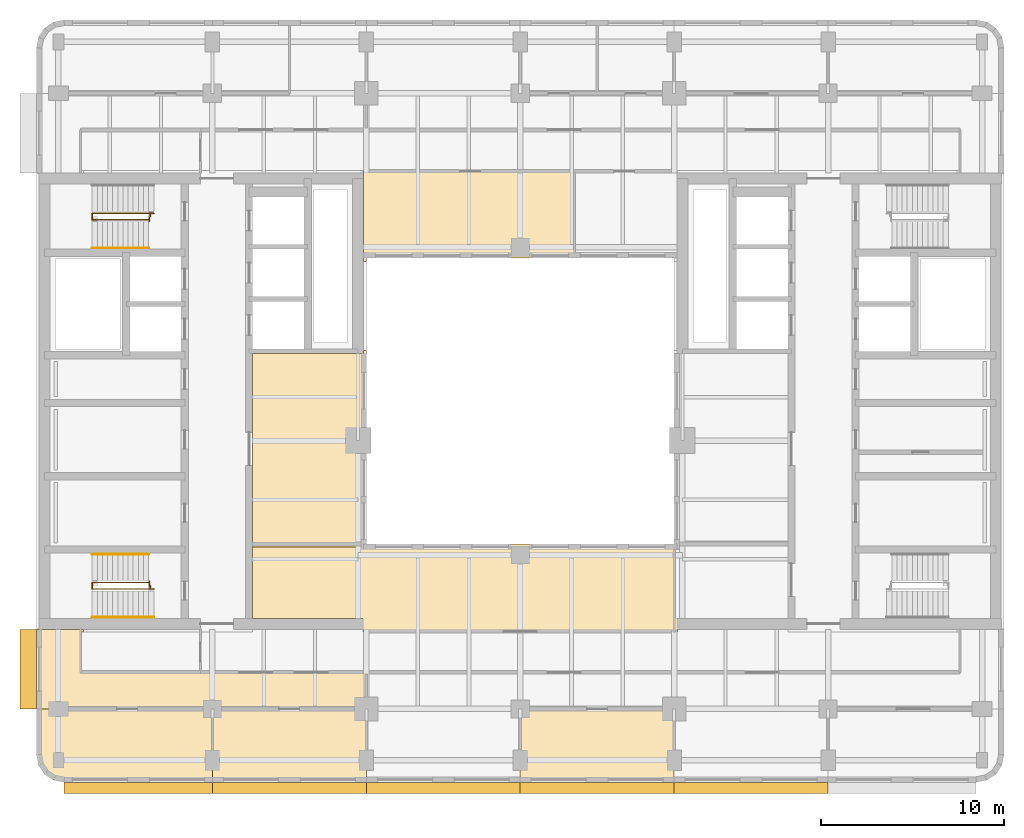
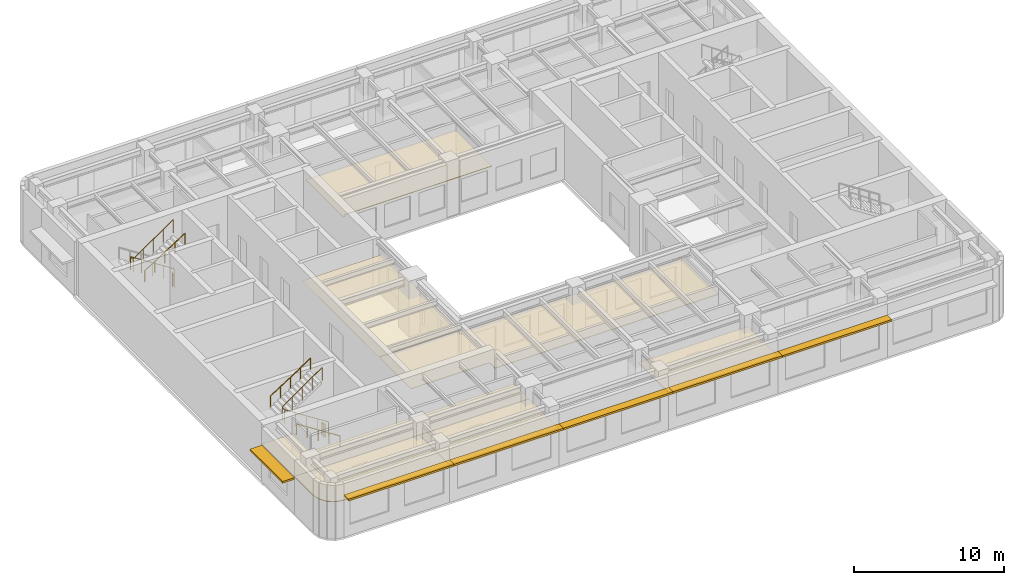
# One storey, part 9 of 11: 7 coverings, 7 railings, 6 shading devices.
"""IFC4 building model written with IfcOpenShell, lengths in metres."""

from ifc_helpers import new_model, si_unit, direction, frame, origin, origin_2d, place, context, subcontext, project, spatial, polyline, rectangle, circle, outline, extrude, material, layer, layer_set, type_object, element, save


model = new_model("IFC4")

# Units and contexts
model_context = context("Model", 3, precision=1e-05, world=origin(), true_north=direction((0.0, 1.0)))
body_context = subcontext(model_context, "Body", "Model", "MODEL_VIEW")
ifc_project = project(units=[si_unit("LENGTHUNIT", "METRE"), si_unit("AREAUNIT", "SQUARE_METRE"), si_unit("VOLUMEUNIT", "CUBIC_METRE"), si_unit("PLANEANGLEUNIT", "RADIAN"), si_unit("MASSUNIT", "GRAM", prefix="KILO")], contexts=[model_context])

# Site, building, storey
site_placement = place(None, origin())
site = spatial("IfcSite", under=ifc_project, at=site_placement, CompositionType="ELEMENT")
building_placement = place(site_placement, origin())
building = spatial("IfcBuilding", under=site, at=building_placement, Name="Claustro Exchange Tower", CompositionType="ELEMENT")
storey_placement = place(building_placement, frame((0.0, 0.0, 272.699951171875)))
storey = spatial("IfcBuildingStorey", under=building, at=storey_placement, Name="L62", CompositionType="ELEMENT", Elevation=272.699951171875)

# Coverings
ifc_material_1 = material(Name="Gypsum board ceiling", Category="gypsum board")
ifc_layer_1 = layer(ifc_material_1, 0.02490234375)
ifc_layer_set_1 = layer_set([ifc_layer_1], Name="Gypsum board ceiling")
covering_type_1 = type_object("IfcCoveringType", Name="CL2 plasterboard ceiling", PredefinedType="CEILING", material=ifc_layer_set_1)
covering_1_placement = place(storey_placement, frame((0.0, 0.0, 3.0)))
element("IfcCovering", 1, at=covering_1_placement, inside=storey, type_object=covering_type_1, Name="Ceiling CL2 L62-11", PredefinedType="CEILING", context=body_context, shape_type="SweptSolid", body=[
    extrude(outline(polyline([(10.60009765625, 27.800048828125), (10.60009765625, 17.22998046875), (16.800048828125, 17.22998046875), (16.800048828125, 27.969970703125), (16.64990234375, 27.969970703125), (16.64990234375, 27.800048828125), (10.60009765625, 27.800048828125)])), origin(), (0.0, 0.0, 1.0), 0.025146484375),
])
ifc_material_2 = material(Name="Oak slats on acoustic backing", Category="wood")
ifc_layer_2 = layer(ifc_material_2, 0.050048828125)
ifc_layer_set_2 = layer_set([ifc_layer_2], Name="Oak slats on acoustic backing")
covering_type_2 = type_object("IfcCoveringType", Name="CL3 timber slat ceiling", PredefinedType="CEILING", material=ifc_layer_set_2)
covering_2_placement = place(storey_placement, frame((0.0, 0.0, 3.0)))
element("IfcCovering", 2, at=covering_2_placement, inside=storey, type_object=covering_type_2, Name="Ceiling CL3 L62-01", PredefinedType="CEILING", context=body_context, shape_type="SweptSolid", body=[
    extrude(outline(polyline([(-1.085693359375, 5.325927734375), (-0.7607421875, 4.83935546875), (-0.27392578125, 4.51416015625), (0.300048828125, 4.39990234375), (8.39990234375, 4.39990234375), (8.39990234375, 8.39990234375), (-1.199951171875, 8.39990234375), (-1.199951171875, 5.89990234375), (-1.085693359375, 5.325927734375)])), origin(), (0.0, 0.0, 1.0), 0.050048828125),
])
covering_3_placement = place(storey_placement, frame((0.0, 0.0, 3.0)))
element("IfcCovering", 3, at=covering_3_placement, inside=storey, type_object=covering_type_2, Name="Ceiling CL3 L62-02", PredefinedType="CEILING", context=body_context, shape_type="SweptSolid", body=[
    extrude(outline(polyline([(8.39990234375, 4.39990234375), (16.800048828125, 4.39990234375), (16.800048828125, 8.39990234375), (8.39990234375, 8.39990234375), (8.39990234375, 4.39990234375)])), origin(), (0.0, 0.0, 1.0), 0.050048828125),
])
covering_4_placement = place(storey_placement, frame((0.0, 0.0, 3.0)))
element("IfcCovering", 4, at=covering_4_placement, inside=storey, type_object=covering_type_2, Name="Ceiling CL3 L62-03", PredefinedType="CEILING", context=body_context, shape_type="SweptSolid", body=[
    extrude(outline(polyline([(25.199951171875, 4.39990234375), (33.60009765625, 4.39990234375), (33.60009765625, 8.39990234375), (25.199951171875, 8.39990234375), (25.199951171875, 4.39990234375)])), origin(), (0.0, 0.0, 1.0), 0.050048828125),
])
covering_5_placement = place(storey_placement, frame((0.0, 0.0, 3.0)))
element("IfcCovering", 5, at=covering_5_placement, inside=storey, type_object=covering_type_2, Name="Ceiling CL3 L62-06", PredefinedType="CEILING", context=body_context, shape_type="SweptSolid", body=[
    extrude(outline(polyline([(1.199951171875, 10.39990234375), (1.199951171875, 12.60009765625), (1.3701171875, 12.60009765625), (1.3701171875, 12.75), (-1.050048828125, 12.75), (-1.050048828125, 12.77001953125), (-1.199951171875, 12.77001953125), (-1.199951171875, 8.39990234375), (16.800048828125, 8.39990234375), (16.800048828125, 10.39990234375), (1.199951171875, 10.39990234375)])), origin(), (0.0, 0.0, 1.0), 0.050048828125),
])
covering_6_placement = place(storey_placement, frame((0.0, 0.0, 3.0)))
element("IfcCovering", 6, at=covering_6_placement, inside=storey, type_object=covering_type_2, Name="Ceiling CL3 L62-09", PredefinedType="CEILING", context=body_context, shape_type="SweptSolid", body=[
    extrude(outline(polyline([(33.60009765625, 17.39990234375), (16.800048828125, 17.39990234375), (16.800048828125, 17.570068359375), (10.60009765625, 17.570068359375), (10.60009765625, 13.330078125), (16.6298828125, 13.330078125), (16.6298828125, 12.60009765625), (33.77001953125, 12.60009765625), (33.77001953125, 17.570068359375), (33.60009765625, 17.570068359375), (33.60009765625, 17.39990234375)])), origin(), (0.0, 0.0, 1.0), 0.050048828125),
])
covering_7_placement = place(storey_placement, frame((0.0, 0.0, 3.0)))
element("IfcCovering", 7, at=covering_7_placement, inside=storey, type_object=covering_type_2, Name="Ceiling CL3 L62-13", PredefinedType="CEILING", context=body_context, shape_type="SweptSolid", body=[
    extrude(outline(polyline([(28.159912109375, 37.800048828125), (16.6298828125, 37.800048828125), (16.6298828125, 37.64990234375), (16.64990234375, 37.64990234375), (16.64990234375, 32.830078125), (16.800048828125, 32.830078125), (16.800048828125, 33.0), (28.159912109375, 33.0), (28.159912109375, 37.800048828125)])), origin(), (0.0, 0.0, 1.0), 0.050048828125),
])

# Railings
ifc_material_3 = material(Name="Steel balustrade, painted", Category="steel")
railing_type_1 = type_object("IfcRailingType", Name="GR2 1100 steel stair guard", PredefinedType="GUARDRAIL", material=ifc_material_3)
railing_1_placement = place(storey_placement, frame((5.199951171875, 14.949951171875, 0.179931640625)))
element("IfcRailing", 8, at=railing_1_placement, inside=storey, type_object=railing_type_1, Name="Stair well guard GR2 stair STWA L62", PredefinedType="GUARDRAIL", context=body_context, shape_type="SweptSolid", body=[
    extrude(circle(Radius=0.02392578125, at=origin_2d()), frame((0.0, 0.0, 1.076171875), z_axis=(-0.841150671818, 0.0, 0.540800838849), x_axis=(0.0, -1.0, 0.0)), (0.0, 0.0, 1.0), 3.994384765625),
    extrude(circle(Radius=0.02392578125, at=origin_2d()), frame((-3.35986328125, 0.0, 3.236328125), z_axis=(0.0, 1.0, 0.0), x_axis=(-1.0, 0.0, 0.0)), (0.0, 0.0, 1.0), 0.35009765625),
    extrude(circle(Radius=0.02392578125, at=origin_2d()), frame((-3.35986328125, 0.35009765625, 3.236328125), z_axis=(0.818728512145, 0.0, 0.574180828137), x_axis=(0.0, 1.0, 0.0)), (0.0, 0.0, 1.0), 3.76171875),
    extrude(circle(Radius=0.02099609375, at=origin_2d()), origin(), (0.0, 0.0, 1.0), 1.052001953125),
    extrude(circle(Radius=0.02099609375, at=origin_2d()), frame((-0.83984375, 0.0, 0.5400390625)), (0.0, 0.0, 1.0), 1.052001953125),
    extrude(circle(Radius=0.02099609375, at=origin_2d()), frame((-1.679931640625, 0.0, 1.080078125)), (0.0, 0.0, 1.0), 1.052001953125),
    extrude(circle(Radius=0.02099609375, at=origin_2d()), frame((-2.52001953125, 0.0, 1.6201171875)), (0.0, 0.0, 1.0), 1.052001953125),
    extrude(circle(Radius=0.02099609375, at=origin_2d()), frame((-3.35986328125, 0.0, 2.16015625)), (0.0, 0.0, 1.0), 1.052001953125),
    extrude(circle(Radius=0.02099609375, at=origin_2d()), frame((-3.35986328125, 0.35009765625, 2.16015625)), (0.0, 0.0, 1.0), 1.052001953125),
    extrude(circle(Radius=0.02099609375, at=origin_2d()), frame((-2.58984375, 0.35009765625, 2.7001953125)), (0.0, 0.0, 1.0), 1.052001953125),
    extrude(circle(Radius=0.02099609375, at=origin_2d()), frame((-1.81982421875, 0.35009765625, 3.240234375)), (0.0, 0.0, 1.0), 1.052001953125),
    extrude(circle(Radius=0.02099609375, at=origin_2d()), frame((-1.050048828125, 0.35009765625, 3.780029296875)), (0.0, 0.0, 1.0), 1.052001953125),
    extrude(circle(Radius=0.02099609375, at=origin_2d()), frame((-0.280029296875, 0.35009765625, 4.320068359375)), (0.0, 0.0, 1.0), 1.052001953125),
])
railing_2_placement = place(storey_placement, frame((5.0, 15.02001953125, 0.0)))
element("IfcRailing", 9, at=railing_2_placement, inside=storey, type_object=railing_type_1, Name="Stair guard GR2 STWA L62", PredefinedType="GUARDRAIL", context=body_context, shape_type="SweptSolid", body=[
    extrude(circle(Radius=0.02392578125, at=origin_2d()), frame((0.0, 0.0, 1.076171875), z_axis=(0.0, 1.0, 0.0), x_axis=(-1.0, 0.0, 0.0)), (0.0, 0.0, 1.0), 0.10498046875),
    extrude(circle(Radius=0.02392578125, at=origin_2d()), frame((0.0, 0.10498046875, 1.076171875), z_axis=(-1.0, 0.0, 0.0), x_axis=(0.0, -1.0, 0.0)), (0.0, 0.0, 1.0), 0.054931640625),
    extrude(circle(Radius=0.02392578125, at=origin_2d()), frame((-0.054931640625, 0.10498046875, 1.076171875), z_axis=(0.0, 1.0, 0.0), x_axis=(-1.0, 0.0, 0.0)), (0.0, 0.0, 1.0), 0.2548828125),
    extrude(circle(Radius=0.02099609375, at=origin_2d()), origin(), (0.0, 0.0, 1.0), 1.052001953125),
    extrude(circle(Radius=0.02099609375, at=origin_2d()), frame((0.0, 0.10498046875, 0.0)), (0.0, 0.0, 1.0), 1.052001953125),
    extrude(circle(Radius=0.02099609375, at=origin_2d()), frame((-0.054931640625, 0.10498046875, 0.0)), (0.0, 0.0, 1.0), 1.052001953125),
    extrude(circle(Radius=0.02099609375, at=origin_2d()), frame((-0.054931640625, 0.35986328125, 0.0)), (0.0, 0.0, 1.0), 1.052001953125),
])
railing_3_placement = place(storey_placement, frame((5.199951171875, 35.449951171875, 0.179931640625)))
element("IfcRailing", 10, at=railing_3_placement, inside=storey, type_object=railing_type_1, Name="Stair well guard GR2 stair STWB L62", PredefinedType="GUARDRAIL", context=body_context, shape_type="SweptSolid", body=[
    extrude(circle(Radius=0.02392578125, at=origin_2d()), frame((0.0, 0.0, 1.076171875), z_axis=(-0.841150671818, 0.0, 0.540800838849), x_axis=(0.0, -1.0, 0.0)), (0.0, 0.0, 1.0), 3.994384765625),
    extrude(circle(Radius=0.02392578125, at=origin_2d()), frame((-3.35986328125, 0.0, 3.236328125), z_axis=(0.0, -1.0, 0.0), x_axis=(1.0, 0.0, 0.0)), (0.0, 0.0, 1.0), 0.349853515625),
    extrude(circle(Radius=0.02392578125, at=origin_2d()), frame((-3.35986328125, -0.349853515625, 3.236328125), z_axis=(0.818728512145, 0.0, 0.574180828137), x_axis=(0.0, 1.0, 0.0)), (0.0, 0.0, 1.0), 3.76171875),
    extrude(circle(Radius=0.02099609375, at=origin_2d()), origin(), (0.0, 0.0, 1.0), 1.052001953125),
    extrude(circle(Radius=0.02099609375, at=origin_2d()), frame((-0.83984375, 0.0, 0.5400390625)), (0.0, 0.0, 1.0), 1.052001953125),
    extrude(circle(Radius=0.02099609375, at=origin_2d()), frame((-1.679931640625, 0.0, 1.080078125)), (0.0, 0.0, 1.0), 1.052001953125),
    extrude(circle(Radius=0.02099609375, at=origin_2d()), frame((-2.52001953125, 0.0, 1.6201171875)), (0.0, 0.0, 1.0), 1.052001953125),
    extrude(circle(Radius=0.02099609375, at=origin_2d()), frame((-3.35986328125, 0.0, 2.16015625)), (0.0, 0.0, 1.0), 1.052001953125),
    extrude(circle(Radius=0.02099609375, at=origin_2d()), frame((-3.35986328125, -0.349853515625, 2.16015625)), (0.0, 0.0, 1.0), 1.052001953125),
    extrude(circle(Radius=0.02099609375, at=origin_2d()), frame((-2.58984375, -0.349853515625, 2.7001953125)), (0.0, 0.0, 1.0), 1.052001953125),
    extrude(circle(Radius=0.02099609375, at=origin_2d()), frame((-1.81982421875, -0.349853515625, 3.240234375)), (0.0, 0.0, 1.0), 1.052001953125),
    extrude(circle(Radius=0.02099609375, at=origin_2d()), frame((-1.050048828125, -0.349853515625, 3.780029296875)), (0.0, 0.0, 1.0), 1.052001953125),
    extrude(circle(Radius=0.02099609375, at=origin_2d()), frame((-0.280029296875, -0.349853515625, 4.320068359375)), (0.0, 0.0, 1.0), 1.052001953125),
])
railing_4_placement = place(storey_placement, frame((5.0, 35.3798828125, 0.0)))
element("IfcRailing", 11, at=railing_4_placement, inside=storey, type_object=railing_type_1, Name="Stair guard GR2 STWB L62", PredefinedType="GUARDRAIL", context=body_context, shape_type="SweptSolid", body=[
    extrude(circle(Radius=0.02392578125, at=origin_2d()), frame((0.0, 0.0, 1.076171875), z_axis=(0.0, -1.0, 0.0), x_axis=(1.0, 0.0, 0.0)), (0.0, 0.0, 1.0), 0.10498046875),
    extrude(circle(Radius=0.02392578125, at=origin_2d()), frame((0.0, -0.10498046875, 1.076171875), z_axis=(-1.0, 0.0, 0.0), x_axis=(0.0, -1.0, 0.0)), (0.0, 0.0, 1.0), 0.054931640625),
    extrude(circle(Radius=0.02392578125, at=origin_2d()), frame((-0.054931640625, -0.10498046875, 1.076171875), z_axis=(0.0, -1.0, 0.0), x_axis=(1.0, 0.0, 0.0)), (0.0, 0.0, 1.0), 0.2548828125),
    extrude(circle(Radius=0.02099609375, at=origin_2d()), origin(), (0.0, 0.0, 1.0), 1.052001953125),
    extrude(circle(Radius=0.02099609375, at=origin_2d()), frame((0.0, -0.10498046875, 0.0)), (0.0, 0.0, 1.0), 1.052001953125),
    extrude(circle(Radius=0.02099609375, at=origin_2d()), frame((-0.054931640625, -0.10498046875, 0.0)), (0.0, 0.0, 1.0), 1.052001953125),
    extrude(circle(Radius=0.02099609375, at=origin_2d()), frame((-0.054931640625, -0.35986328125, 0.0)), (0.0, 0.0, 1.0), 1.052001953125),
])
ifc_material_4 = material(Name="Stainless steel tube", Category="steel")
railing_type_2 = type_object("IfcRailingType", Name="HR1 900 stair handrail", PredefinedType="HANDRAIL", material=ifc_material_4)
railing_5_placement = place(storey_placement, frame((5.199951171875, 13.409912109375, 0.179931640625)))
element("IfcRailing", 12, at=railing_5_placement, inside=storey, type_object=railing_type_2, Name="Handrail HR1 stair STWA L62", PredefinedType="HANDRAIL", context=body_context, shape_type="SweptSolid", body=[
    extrude(circle(Radius=0.02392578125, at=origin_2d()), frame((0.0, 0.0, 0.8759765625), z_axis=(-0.841150671818, 0.0, 0.540800838849), x_axis=(0.0, -1.0, 0.0)), (0.0, 0.0, 1.0), 3.994384765625),
    extrude(circle(Radius=0.02099609375, at=origin_2d()), origin(), (0.0, 0.0, 1.0), 0.851806640625),
    extrude(circle(Radius=0.02099609375, at=origin_2d()), frame((-0.83984375, 0.0, 0.5400390625)), (0.0, 0.0, 1.0), 0.851806640625),
    extrude(circle(Radius=0.02099609375, at=origin_2d()), frame((-1.679931640625, 0.0, 1.080078125)), (0.0, 0.0, 1.0), 0.851806640625),
    extrude(circle(Radius=0.02099609375, at=origin_2d()), frame((-2.52001953125, 0.0, 1.6201171875)), (0.0, 0.0, 1.0), 0.851806640625),
    extrude(circle(Radius=0.02099609375, at=origin_2d()), frame((-3.35986328125, 0.0, 2.16015625)), (0.0, 0.0, 1.0), 0.851806640625),
])
for number, where, name in (
    (13, (1.840087890625, 16.840087890625, 2.52001953125), "Handrail HR1 stair STWA L62"),
    (14, (1.840087890625, 33.56005859375, 2.52001953125), "Handrail HR1 stair STWB L62"),
):
    element("IfcRailing", number, at=place(storey_placement, frame(where)), inside=storey, type_object=railing_type_2, Name=name, PredefinedType="HANDRAIL", context=body_context, shape_type="SweptSolid", body=[
        extrude(circle(Radius=0.02392578125, at=origin_2d()), frame((0.0, 0.0, 0.8759765625), z_axis=(0.841167642724, 0.0, 0.540774441735), x_axis=(0.0, 1.0, 0.0)), (0.0, 0.0, 1.0), 3.661376953125),
        extrude(circle(Radius=0.02099609375, at=origin_2d()), origin(), (0.0, 0.0, 1.0), 0.851806640625),
        extrude(circle(Radius=0.02099609375, at=origin_2d()), frame((0.77001953125, 0.0, 0.4951171875)), (0.0, 0.0, 1.0), 0.851806640625),
        extrude(circle(Radius=0.02099609375, at=origin_2d()), frame((1.5400390625, 0.0, 0.989990234375)), (0.0, 0.0, 1.0), 0.851806640625),
        extrude(circle(Radius=0.02099609375, at=origin_2d()), frame((2.309814453125, 0.0, 1.48486328125)), (0.0, 0.0, 1.0), 0.851806640625),
        extrude(circle(Radius=0.02099609375, at=origin_2d()), frame((3.079833984375, 0.0, 1.97998046875)), (0.0, 0.0, 1.0), 0.851806640625),
    ])

# Shading devices
ifc_material_5 = material(Name="Concrete HA-40 (C40/50), precast, white cement, acid-etched", Category="concrete")
ifc_layer_3 = layer(ifc_material_5, 0.14990234375)
ifc_layer_set_3 = layer_set([ifc_layer_3], Name="Concrete HA-40 (C40/50), precast, white cement, acid-etched")
shading_device_type_1 = type_object("IfcShadingDeviceType", Name="SS1 600 precast concrete SUNSHADE", PredefinedType="SHUTTER", material=ifc_layer_set_3)
for number, where, z_axis, x_axis, name in (
    (15, (37.800048828125, 4.10009765625, 3.300048828125), (0.0, 0.0, 1.0), (-1.0, 0.0, 0.0), "Precast SUNSHADE SS1 L62"),
    (16, (29.39990234375, 4.10009765625, 3.300048828125), (0.0, 0.0, 1.0), (-1.0, 0.0, 0.0), "Precast SUNSHADE SS1 L62"),
    (17, (21.0, 4.10009765625, 3.300048828125), (0.0, 0.0, 1.0), (-1.0, 0.0, 0.0), "Precast SUNSHADE SS1 L62"),
    (18, (12.60009765625, 4.10009765625, 3.300048828125), (0.0, 0.0, 1.0), (-1.0, 0.0, 0.0), "Precast SUNSHADE SS1 L62"),
):
    element("IfcShadingDevice", number, at=place(storey_placement, frame(where, z_axis=z_axis, x_axis=x_axis)), inside=storey, type_object=shading_device_type_1, Name=name, PredefinedType="SHUTTER", context=body_context, shape_type="SweptSolid", body=[
        extrude(rectangle(XDim=8.39990234375, YDim=0.60009765625, at=origin_2d()), origin(), (0.0, 0.0, 1.0), 0.14990234375),
    ])
shading_device_1_placement = place(storey_placement, frame((4.357421875, 4.10009765625, 3.300048828125), z_axis=(0.0, 0.0, 1.0), x_axis=(-1.0, 0.0, 0.0)))
element("IfcShadingDevice", 19, at=shading_device_1_placement, inside=storey, type_object=shading_device_type_1, Name="Precast SUNSHADE SS1 L62", PredefinedType="SHUTTER", context=body_context, shape_type="SweptSolid", body=[
    extrude(rectangle(XDim=8.085205078125, YDim=0.60009765625, at=origin_2d()), origin(), (0.0, 0.0, 1.0), 0.14990234375),
])
ifc_material_6 = material(Name="Concrete HA-40 (C40/50), precast, white cement, acid-etched", Category="concrete")
ifc_layer_4 = layer(ifc_material_6, 0.14990234375)
ifc_layer_set_4 = layer_set([ifc_layer_4], Name="Concrete HA-40 (C40/50), precast, white cement, acid-etched")
shading_device_type_2 = type_object("IfcShadingDeviceType", Name="SS2 900 precast concrete SUNSHADE", PredefinedType="SHUTTER", material=ifc_layer_set_4)
shading_device_2_placement = place(storey_placement, frame((-1.64990234375, 10.574951171875, 2.800048828125), z_axis=(0.0, 0.0, 1.0), x_axis=(0.0, 1.0, 0.0)))
element("IfcShadingDevice", 20, at=shading_device_2_placement, inside=storey, type_object=shading_device_type_2, Name="Precast SUNSHADE SS2 L62", PredefinedType="SHUTTER", context=body_context, shape_type="SweptSolid", body=[
    extrude(rectangle(XDim=4.35009765625, YDim=0.89990234375, at=origin_2d()), origin(), (0.0, 0.0, 1.0), 0.14990234375),
])

save(model, "model.ifc")
